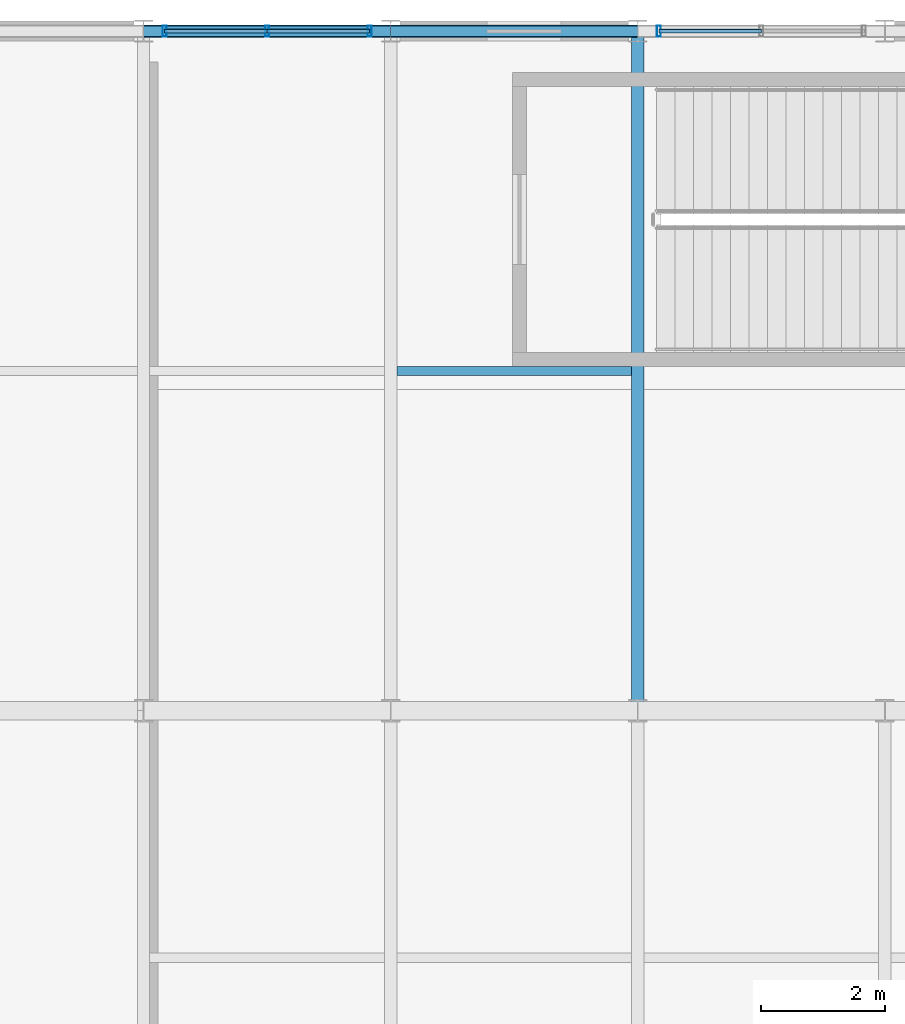
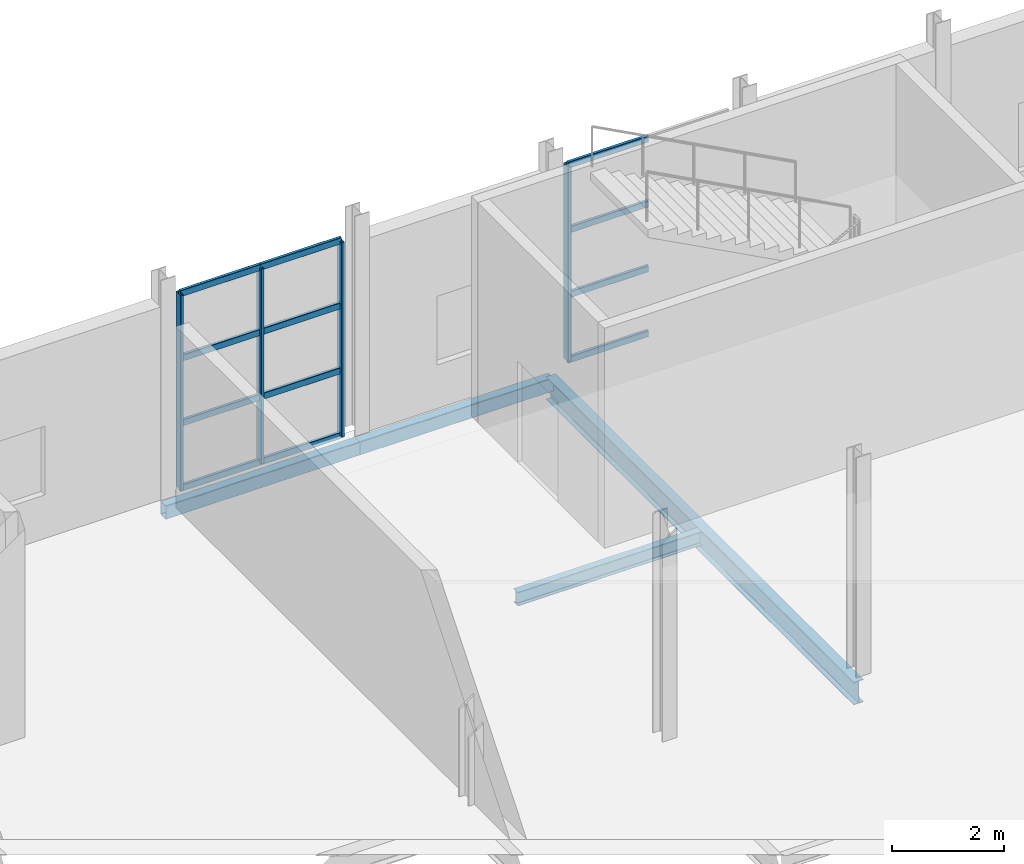
# One storey, part 76 of 143: 16 members, 4 beams, 2 elements without a shape of their own.
"""IFC4 building model written with IfcOpenShell, lengths in metres."""

from ifc_helpers import new_model, si_unit, derived_unit, direction, frame, origin, origin_2d, place, context, subcontext, project, spatial, hollow_rectangle, i_section, extrude, material, material_profile, profile_set, type_object, element, aggregate, save


model = new_model("IFC4")

# Units and contexts
model_context = context("Model", 3, precision=1e-05, world=origin(), true_north=direction((0.0, 1.0)))
body_context = subcontext(model_context, "Body", "Model", "MODEL_VIEW")
ifc_project = project(units=[si_unit("LENGTHUNIT", "METRE"), si_unit("AREAUNIT", "SQUARE_METRE"), si_unit("VOLUMEUNIT", "CUBIC_METRE"), si_unit("PLANEANGLEUNIT", "RADIAN"), si_unit("MASSUNIT", "GRAM", prefix="KILO"), derived_unit("THERMALTRANSMITTANCEUNIT", [(si_unit("POWERUNIT", "WATT"), 1), (si_unit("LENGTHUNIT", "METRE"), -2), (si_unit("THERMODYNAMICTEMPERATUREUNIT", "KELVIN"), -1)])], contexts=[model_context])

# Site, building, storey
site_placement = place(None, origin())
site = spatial("IfcSite", under=ifc_project, at=site_placement, CompositionType="ELEMENT")
building_placement = place(site_placement, origin())
building = spatial("IfcBuilding", under=site, at=building_placement, Name="Keldorne Ridge Multi-Sports Centre", CompositionType="ELEMENT")
storey_placement = place(building_placement, frame((0.0, 0.0, 4.800048828125)))
storey = spatial("IfcBuildingStorey", under=building, at=storey_placement, Name="L01", CompositionType="ELEMENT", Elevation=4.800048828125)

# Beams
ifc_material_1 = material(Name="Steel S355", Category="steel")
ifc_material_profile_1 = material_profile(ifc_material_1, i_section(OverallWidth=0.199951171875, OverallDepth=0.5, WebThickness=0.01025390625, FlangeThickness=0.01611328125, FilletRadius=0.02099609375, at=origin_2d()), Name="IPE 500")
ifc_profile_set_1 = profile_set([ifc_material_profile_1], Name="Steel S355")
beam_type_1 = type_object("IfcBeamType", Name="BM-B-02", PredefinedType="BEAM", material=ifc_profile_set_1)
beam_1_placement = place(storey_placement, frame((128.0, 106.0, -0.469970703125), z_axis=(0.0, 1.0, 0.0), x_axis=(-1.0, 0.0, 0.0)))
element("IfcBeam", 1, at=beam_1_placement, inside=storey, type_object=beam_type_1, Name="L01 primary girder 128.6", PredefinedType="BEAM", context=body_context, shape_type="SweptSolid", body=[
    extrude(i_section(OverallWidth=0.199951171875, OverallDepth=0.5, WebThickness=0.01025390625, FlangeThickness=0.01611328125, FilletRadius=0.02099609375, at=origin_2d()), origin(), (0.0, 0.0, 1.0), 11.0),
])
ifc_material_profile_2 = material_profile(ifc_material_1, i_section(OverallWidth=0.14990234375, OverallDepth=0.300048828125, WebThickness=0.007080078125, FlangeThickness=0.0107421875, FilletRadius=0.014892578125, at=origin_2d()), Name="IPE 300")
ifc_profile_set_2 = profile_set([ifc_material_profile_2], Name="Steel S355")
beam_type_2 = type_object("IfcBeamType", Name="BM-J-02", PredefinedType="JOIST", material=ifc_profile_set_2)
beam_2_placement = place(storey_placement, frame((124.10009765625, 111.5, -0.3701171875), z_axis=(1.0, 0.0, 0.0), x_axis=(0.0, 1.0, 0.0)))
element("IfcBeam", 2, at=beam_2_placement, inside=storey, type_object=beam_type_2, Name="L01 secondary joist 4.6", PredefinedType="JOIST", context=body_context, shape_type="SweptSolid", body=[
    extrude(i_section(OverallWidth=0.14990234375, OverallDepth=0.300048828125, WebThickness=0.007080078125, FlangeThickness=0.0107421875, FilletRadius=0.014892578125, at=origin_2d()), origin(), (0.0, 0.0, 1.0), 3.7998046875),
])
ifc_material_profile_3 = material_profile(ifc_material_1, hollow_rectangle(XDim=0.199951171875, YDim=0.300048828125, WallThickness=0.012451171875, InnerFilletRadius=0.012451171875, OuterFilletRadius=0.02490234375, at=origin_2d()), Name="RHS 300x200x12.5")
ifc_profile_set_3 = profile_set([ifc_material_profile_3], Name="Steel S355")
beam_type_3 = type_object("IfcBeamType", Name="BM-SP-01", PredefinedType="SPANDREL", material=ifc_profile_set_3)
for number, where, z_axis, x_axis, name in (
    (3, (120.0, 117.0, -0.3701171875), (1.0, 0.0, 0.0), (0.0, 1.0, 0.0), "L01 primary beam 3.117"),
    (4, (124.0, 117.0, -0.3701171875), (1.0, 0.0, 0.0), (0.0, 1.0, 0.0), "L01 primary beam 4.117"),
):
    element("IfcBeam", number, at=place(storey_placement, frame(where, z_axis=z_axis, x_axis=x_axis)), inside=storey, type_object=beam_type_3, Name=name, PredefinedType="SPANDREL", context=body_context, shape_type="SweptSolid", body=[
        extrude(hollow_rectangle(XDim=0.199951171875, YDim=0.300048828125, WallThickness=0.012451171875, InnerFilletRadius=0.012451171875, OuterFilletRadius=0.02490234375, at=origin_2d()), origin(), (0.0, 0.0, 1.0), 4.0),
    ])

# Curtain wall, members
ifc_material_2 = material(Name="Anodized aluminium", Category="aluminium")
curtain_wall_type_1 = type_object("IfcCurtainWallType", Name="CW-CW-07", PredefinedType="NOTDEFINED", material=ifc_material_2)
curtain_wall_1_placement = place(storey_placement, origin())
curtain_wall_1 = element("IfcCurtainWall", 5, at=curtain_wall_1_placement, inside=storey, type_object=curtain_wall_type_1, Name="East Wing L01 north curtain wall 143", PredefinedType="NOTDEFINED")
ifc_material_profile_4 = material_profile(ifc_material_2, hollow_rectangle(XDim=0.06494140625, YDim=0.179931640625, WallThickness=0.00439453125, InnerFilletRadius=0.00439453125, OuterFilletRadius=0.009033203125, at=origin_2d()), Name="ALU MULLION 180x65x4.5")
ifc_profile_set_4 = profile_set([ifc_material_profile_4], Name="Anodized aluminium")
member_type_1 = type_object("IfcMemberType", Name="MEM-ML-01", PredefinedType="MULLION", material=ifc_profile_set_4)
member_1_placement = place(storey_placement, frame((123.659912109375, 117.0, 0.0), z_axis=(0.0, 0.0, 1.0), x_axis=(1.0, 0.0, 0.0)))
member_1 = element("IfcMember", 6, at=member_1_placement, type_object=member_type_1, Name="CW-143 vertical mullion 1", PredefinedType="MULLION", context=body_context, shape_type="SweptSolid", body=[
    extrude(hollow_rectangle(XDim=0.06494140625, YDim=0.179931640625, WallThickness=0.00439453125, InnerFilletRadius=0.00439453125, OuterFilletRadius=0.009033203125, at=origin_2d()), origin(), (0.0, 0.0, 1.0), 4.25),
])
member_2_placement = place(storey_placement, frame((122.0, 117.0, 0.0), z_axis=(0.0, 0.0, 1.0), x_axis=(1.0, 0.0, 0.0)))
member_2 = element("IfcMember", 7, at=member_2_placement, type_object=member_type_1, Name="CW-143 vertical mullion 2", PredefinedType="MULLION", context=body_context, shape_type="SweptSolid", body=[
    extrude(hollow_rectangle(XDim=0.06494140625, YDim=0.179931640625, WallThickness=0.00439453125, InnerFilletRadius=0.00439453125, OuterFilletRadius=0.009033203125, at=origin_2d()), origin(), (0.0, 0.0, 1.0), 4.25),
])
member_3_placement = place(storey_placement, frame((120.340087890625, 117.0, 0.0), z_axis=(0.0, 0.0, 1.0), x_axis=(1.0, 0.0, 0.0)))
member_3 = element("IfcMember", 8, at=member_3_placement, type_object=member_type_1, Name="CW-143 vertical mullion 3", PredefinedType="MULLION", context=body_context, shape_type="SweptSolid", body=[
    extrude(hollow_rectangle(XDim=0.06494140625, YDim=0.179931640625, WallThickness=0.00439453125, InnerFilletRadius=0.00439453125, OuterFilletRadius=0.009033203125, at=origin_2d()), origin(), (0.0, 0.0, 1.0), 4.25),
])

# Curtain wall, member
curtain_wall_type_2 = type_object("IfcCurtainWallType", Name="CW-CW-08", PredefinedType="NOTDEFINED", material=ifc_material_2)
curtain_wall_2_placement = place(storey_placement, origin())
curtain_wall_2 = element("IfcCurtainWall", 9, at=curtain_wall_2_placement, inside=storey, type_object=curtain_wall_type_2, Name="East Wing L01 north curtain wall 144", PredefinedType="NOTDEFINED")
member_4_placement = place(storey_placement, frame((128.340087890625, 117.0, 0.0), z_axis=(0.0, 0.0, 1.0), x_axis=(1.0, 0.0, 0.0)))
member_4 = element("IfcMember", 10, at=member_4_placement, type_object=member_type_1, Name="CW-144 vertical mullion 3", PredefinedType="MULLION", context=body_context, shape_type="SweptSolid", body=[
    extrude(hollow_rectangle(XDim=0.06494140625, YDim=0.179931640625, WallThickness=0.00439453125, InnerFilletRadius=0.00439453125, OuterFilletRadius=0.009033203125, at=origin_2d()), origin(), (0.0, 0.0, 1.0), 4.25),
])

# Member
ifc_material_profile_5 = material_profile(ifc_material_2, hollow_rectangle(XDim=0.06494140625, YDim=0.139892578125, WallThickness=0.00439453125, InnerFilletRadius=0.00439453125, OuterFilletRadius=0.009033203125, at=origin_2d()), Name="ALU TRANSOM 140x65x4.5")
ifc_profile_set_5 = profile_set([ifc_material_profile_5], Name="Anodized aluminium")
member_type_2 = type_object("IfcMemberType", Name="MEM-TR-01", PredefinedType="USERDEFINED", material=ifc_profile_set_5)
member_5_placement = place(storey_placement, frame((123.659912109375, 117.0, 0.0), z_axis=(-1.0, 0.0, 0.0), x_axis=(0.0, -1.0, 0.0)))
member_5 = element("IfcMember", 11, at=member_5_placement, type_object=member_type_2, Name="CW-143 transom 1.1", ObjectType="TRANSOM", PredefinedType="USERDEFINED", context=body_context, shape_type="SweptSolid", body=[
    extrude(hollow_rectangle(XDim=0.06494140625, YDim=0.139892578125, WallThickness=0.00439453125, InnerFilletRadius=0.00439453125, OuterFilletRadius=0.009033203125, at=origin_2d()), origin(), (0.0, 0.0, 1.0), 1.659912109375),
])

member_6_placement = place(storey_placement, frame((123.659912109375, 117.0, 1.416748046875), z_axis=(-1.0, 0.0, 0.0), x_axis=(0.0, -1.0, 0.0)))
member_6 = element("IfcMember", 12, at=member_6_placement, type_object=member_type_2, Name="CW-143 transom 1.2", ObjectType="TRANSOM", PredefinedType="USERDEFINED", context=body_context, shape_type="SweptSolid", body=[
    extrude(hollow_rectangle(XDim=0.06494140625, YDim=0.139892578125, WallThickness=0.00439453125, InnerFilletRadius=0.00439453125, OuterFilletRadius=0.009033203125, at=origin_2d()), origin(), (0.0, 0.0, 1.0), 1.659912109375),
])

member_7_placement = place(storey_placement, frame((123.659912109375, 117.0, 2.833251953125), z_axis=(-1.0, 0.0, 0.0), x_axis=(0.0, -1.0, 0.0)))
member_7 = element("IfcMember", 13, at=member_7_placement, type_object=member_type_2, Name="CW-143 transom 1.3", ObjectType="TRANSOM", PredefinedType="USERDEFINED", context=body_context, shape_type="SweptSolid", body=[
    extrude(hollow_rectangle(XDim=0.06494140625, YDim=0.139892578125, WallThickness=0.00439453125, InnerFilletRadius=0.00439453125, OuterFilletRadius=0.009033203125, at=origin_2d()), origin(), (0.0, 0.0, 1.0), 1.659912109375),
])

member_8_placement = place(storey_placement, frame((123.659912109375, 117.0, 4.25), z_axis=(-1.0, 0.0, 0.0), x_axis=(0.0, -1.0, 0.0)))
member_8 = element("IfcMember", 14, at=member_8_placement, type_object=member_type_2, Name="CW-143 transom 1.4", ObjectType="TRANSOM", PredefinedType="USERDEFINED", context=body_context, shape_type="SweptSolid", body=[
    extrude(hollow_rectangle(XDim=0.06494140625, YDim=0.139892578125, WallThickness=0.00439453125, InnerFilletRadius=0.00439453125, OuterFilletRadius=0.009033203125, at=origin_2d()), origin(), (0.0, 0.0, 1.0), 1.659912109375),
])

member_9_placement = place(storey_placement, frame((122.0, 117.0, 0.0), z_axis=(-1.0, 0.0, 0.0), x_axis=(0.0, -1.0, 0.0)))
member_9 = element("IfcMember", 15, at=member_9_placement, type_object=member_type_2, Name="CW-143 transom 2.1", ObjectType="TRANSOM", PredefinedType="USERDEFINED", context=body_context, shape_type="SweptSolid", body=[
    extrude(hollow_rectangle(XDim=0.06494140625, YDim=0.139892578125, WallThickness=0.00439453125, InnerFilletRadius=0.00439453125, OuterFilletRadius=0.009033203125, at=origin_2d()), origin(), (0.0, 0.0, 1.0), 1.659912109375),
])

member_10_placement = place(storey_placement, frame((122.0, 117.0, 1.416748046875), z_axis=(-1.0, 0.0, 0.0), x_axis=(0.0, -1.0, 0.0)))
member_10 = element("IfcMember", 16, at=member_10_placement, type_object=member_type_2, Name="CW-143 transom 2.2", ObjectType="TRANSOM", PredefinedType="USERDEFINED", context=body_context, shape_type="SweptSolid", body=[
    extrude(hollow_rectangle(XDim=0.06494140625, YDim=0.139892578125, WallThickness=0.00439453125, InnerFilletRadius=0.00439453125, OuterFilletRadius=0.009033203125, at=origin_2d()), origin(), (0.0, 0.0, 1.0), 1.659912109375),
])

member_11_placement = place(storey_placement, frame((122.0, 117.0, 2.833251953125), z_axis=(-1.0, 0.0, 0.0), x_axis=(0.0, -1.0, 0.0)))
member_11 = element("IfcMember", 17, at=member_11_placement, type_object=member_type_2, Name="CW-143 transom 2.3", ObjectType="TRANSOM", PredefinedType="USERDEFINED", context=body_context, shape_type="SweptSolid", body=[
    extrude(hollow_rectangle(XDim=0.06494140625, YDim=0.139892578125, WallThickness=0.00439453125, InnerFilletRadius=0.00439453125, OuterFilletRadius=0.009033203125, at=origin_2d()), origin(), (0.0, 0.0, 1.0), 1.659912109375),
])

member_12_placement = place(storey_placement, frame((122.0, 117.0, 4.25), z_axis=(-1.0, 0.0, 0.0), x_axis=(0.0, -1.0, 0.0)))
member_12 = element("IfcMember", 18, at=member_12_placement, type_object=member_type_2, Name="CW-143 transom 2.4", ObjectType="TRANSOM", PredefinedType="USERDEFINED", context=body_context, shape_type="SweptSolid", body=[
    extrude(hollow_rectangle(XDim=0.06494140625, YDim=0.139892578125, WallThickness=0.00439453125, InnerFilletRadius=0.00439453125, OuterFilletRadius=0.009033203125, at=origin_2d()), origin(), (0.0, 0.0, 1.0), 1.659912109375),
])

aggregate(curtain_wall_1, [member_1, member_2, member_3, member_5, member_6, member_7, member_8, member_9, member_10, member_11, member_12])

member_13_placement = place(storey_placement, frame((130.0, 117.0, 0.0), z_axis=(-1.0, 0.0, 0.0), x_axis=(0.0, -1.0, 0.0)))
member_13 = element("IfcMember", 19, at=member_13_placement, type_object=member_type_2, Name="CW-144 transom 2.1", ObjectType="TRANSOM", PredefinedType="USERDEFINED", context=body_context, shape_type="SweptSolid", body=[
    extrude(hollow_rectangle(XDim=0.06494140625, YDim=0.139892578125, WallThickness=0.00439453125, InnerFilletRadius=0.00439453125, OuterFilletRadius=0.009033203125, at=origin_2d()), origin(), (0.0, 0.0, 1.0), 1.659912109375),
])

member_14_placement = place(storey_placement, frame((130.0, 117.0, 1.416748046875), z_axis=(-1.0, 0.0, 0.0), x_axis=(0.0, -1.0, 0.0)))
member_14 = element("IfcMember", 20, at=member_14_placement, type_object=member_type_2, Name="CW-144 transom 2.2", ObjectType="TRANSOM", PredefinedType="USERDEFINED", context=body_context, shape_type="SweptSolid", body=[
    extrude(hollow_rectangle(XDim=0.06494140625, YDim=0.139892578125, WallThickness=0.00439453125, InnerFilletRadius=0.00439453125, OuterFilletRadius=0.009033203125, at=origin_2d()), origin(), (0.0, 0.0, 1.0), 1.659912109375),
])

member_15_placement = place(storey_placement, frame((130.0, 117.0, 2.833251953125), z_axis=(-1.0, 0.0, 0.0), x_axis=(0.0, -1.0, 0.0)))
member_15 = element("IfcMember", 21, at=member_15_placement, type_object=member_type_2, Name="CW-144 transom 2.3", ObjectType="TRANSOM", PredefinedType="USERDEFINED", context=body_context, shape_type="SweptSolid", body=[
    extrude(hollow_rectangle(XDim=0.06494140625, YDim=0.139892578125, WallThickness=0.00439453125, InnerFilletRadius=0.00439453125, OuterFilletRadius=0.009033203125, at=origin_2d()), origin(), (0.0, 0.0, 1.0), 1.659912109375),
])

member_16_placement = place(storey_placement, frame((130.0, 117.0, 4.25), z_axis=(-1.0, 0.0, 0.0), x_axis=(0.0, -1.0, 0.0)))
member_16 = element("IfcMember", 22, at=member_16_placement, type_object=member_type_2, Name="CW-144 transom 2.4", ObjectType="TRANSOM", PredefinedType="USERDEFINED", context=body_context, shape_type="SweptSolid", body=[
    extrude(hollow_rectangle(XDim=0.06494140625, YDim=0.139892578125, WallThickness=0.00439453125, InnerFilletRadius=0.00439453125, OuterFilletRadius=0.009033203125, at=origin_2d()), origin(), (0.0, 0.0, 1.0), 1.659912109375),
])

aggregate(curtain_wall_2, [member_4, member_13, member_14, member_15, member_16])

save(model, "model.ifc")
